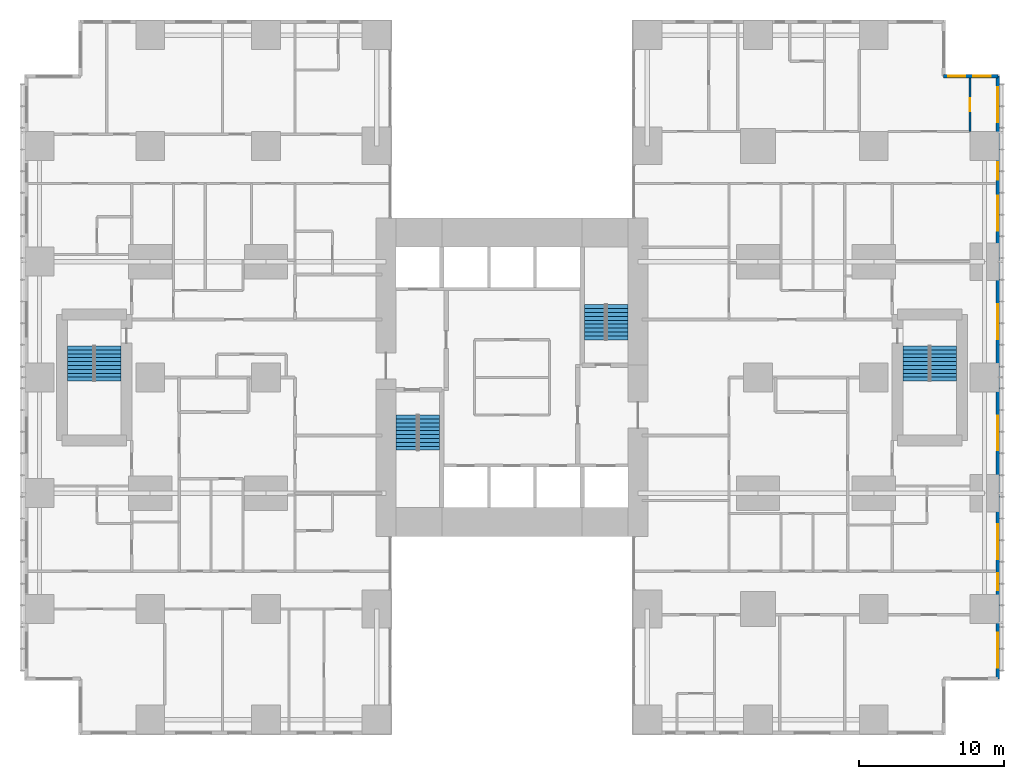
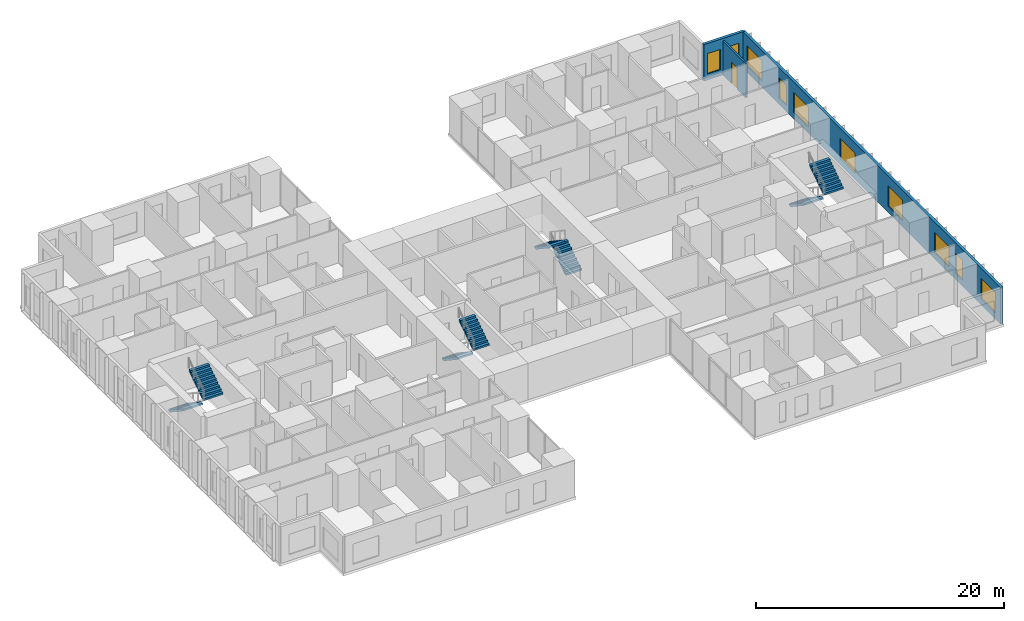
# One storey, part 19 of 20: 10 windows, 8 stair flights, 3 walls, 1 door, 11 openings, 4 elements without a shape of their own.
"""IFC4 building model written with IfcOpenShell, lengths in metres."""

from ifc_helpers import new_model, si_unit, direction, frame, frame_2d, origin, place, context, subcontext, project, spatial, polyline, rectangle, outline, extrude, material, layer, layer_set, type_object, element, fill, aggregate, save


model = new_model("IFC4")

# Units and contexts
model_context = context("Model", 3, precision=1e-05, world=origin(), true_north=direction((0.0, 1.0)))
body_context = subcontext(model_context, "Body", "Model", "MODEL_VIEW")
ifc_project = project(units=[si_unit("LENGTHUNIT", "METRE"), si_unit("AREAUNIT", "SQUARE_METRE"), si_unit("VOLUMEUNIT", "CUBIC_METRE"), si_unit("PLANEANGLEUNIT", "RADIAN"), si_unit("MASSUNIT", "GRAM", prefix="KILO")], contexts=[model_context])

# Site, building, storey
site_placement = place(None, origin())
site = spatial("IfcSite", under=ifc_project, at=site_placement, CompositionType="ELEMENT")
building_placement = place(site_placement, origin())
building = spatial("IfcBuilding", under=site, at=building_placement, Name="Cleftline Residences", CompositionType="ELEMENT")
storey_placement = place(building_placement, frame((0.0, 0.0, 40.39990234375)))
storey = spatial("IfcBuildingStorey", under=building, at=storey_placement, Name="L09", CompositionType="ELEMENT", Elevation=40.39990234375)

# Wall, openings, windows
ifc_material_1 = material(Name="Rendered reinforced concrete blockwork", Category="masonry")
ifc_layer_1 = layer(ifc_material_1, 0.25)
ifc_layer_set_1 = layer_set([ifc_layer_1], Name="EXTERNAL WALL 250")
wall_type_1 = type_object("IfcWallType", Name="EXTERNAL WALL 250", PredefinedType="SOLIDWALL", material=ifc_layer_set_1)
wall_1_placement = place(storey_placement, frame((66.574951171875, 3.175048828125, 0.0), z_axis=(0.0, 0.0, 1.0), x_axis=(0.0, 1.0, 0.0)))
wall_1 = element("IfcWall", 1, at=wall_1_placement, inside=storey, type_object=wall_type_1, Name="External wall", PredefinedType="SOLIDWALL", context=body_context, shape_type="SweptSolid", body=[
    extrude(rectangle(XDim=41.64990234375, YDim=0.25, at=frame_2d((20.824951171875, 0.0))), origin(), (0.0, 0.0, 1.0), 3.60009765625),
])
opening_1_placement = place(wall_1_placement, frame((0.77490234375, 0.0, 0.60009765625)))
opening_1 = element("IfcOpeningElement", 2, at=opening_1_placement, cuts=wall_1, Name="Opening W6", PredefinedType="OPENING", context=body_context, shape_type="SweptSolid", body=[
    extrude(rectangle(XDim=2.39990234375, YDim=2.0, at=frame_2d((1.199951171875, 1.0))), frame((0.0, 0.135009765625, 0.0), z_axis=(0.0, -1.0, 0.0), x_axis=(1.0, 0.0, 0.0)), (0.0, 0.0, 1.0), 0.27001953125),
])
opening_2_placement = place(wall_1_placement, frame((6.10009765625, 0.0, 0.60009765625)))
opening_2 = element("IfcOpeningElement", 3, at=opening_2_placement, cuts=wall_1, Name="Opening W8", PredefinedType="OPENING", context=body_context, shape_type="SweptSolid", body=[
    extrude(rectangle(XDim=1.199951171875, YDim=2.0, at=frame_2d((0.60009765625, 1.0))), frame((0.0, 0.135009765625, 0.0), z_axis=(0.0, -1.0, 0.0), x_axis=(1.0, 0.0, 0.0)), (0.0, 0.0, 1.0), 0.27001953125),
])
opening_3_placement = place(wall_1_placement, frame((8.27490234375, 0.0, 0.60009765625)))
opening_3 = element("IfcOpeningElement", 4, at=opening_3_placement, cuts=wall_1, Name="Opening W6", PredefinedType="OPENING", context=body_context, shape_type="SweptSolid", body=[
    extrude(rectangle(XDim=2.39990234375, YDim=2.0, at=frame_2d((1.199951171875, 1.0))), frame((0.0, 0.135009765625, 0.0), z_axis=(0.0, -1.0, 0.0), x_axis=(1.0, 0.0, 0.0)), (0.0, 0.0, 1.0), 0.27001953125),
])
opening_4_placement = place(wall_1_placement, frame((15.77490234375, 0.0, 0.60009765625)))
opening_4 = element("IfcOpeningElement", 5, at=opening_4_placement, cuts=wall_1, Name="Opening W6", PredefinedType="OPENING", context=body_context, shape_type="SweptSolid", body=[
    extrude(rectangle(XDim=2.39990234375, YDim=2.0, at=frame_2d((1.199951171875, 1.0))), frame((0.0, 0.135009765625, 0.0), z_axis=(0.0, -1.0, 0.0), x_axis=(1.0, 0.0, 0.0)), (0.0, 0.0, 1.0), 0.27001953125),
])
opening_5_placement = place(wall_1_placement, frame((23.47509765625, 0.0, 0.60009765625)))
opening_5 = element("IfcOpeningElement", 6, at=opening_5_placement, cuts=wall_1, Name="Opening W6", PredefinedType="OPENING", context=body_context, shape_type="SweptSolid", body=[
    extrude(rectangle(XDim=2.39990234375, YDim=2.0, at=frame_2d((1.199951171875, 1.0))), frame((0.0, 0.135009765625, 0.0), z_axis=(0.0, -1.0, 0.0), x_axis=(1.0, 0.0, 0.0)), (0.0, 0.0, 1.0), 0.27001953125),
])
opening_6_placement = place(wall_1_placement, frame((30.97509765625, 0.0, 0.60009765625)))
opening_6 = element("IfcOpeningElement", 7, at=opening_6_placement, cuts=wall_1, Name="Opening W6", PredefinedType="OPENING", context=body_context, shape_type="SweptSolid", body=[
    extrude(rectangle(XDim=2.39990234375, YDim=2.0, at=frame_2d((1.199951171875, 1.0))), frame((0.0, 0.135009765625, 0.0), z_axis=(0.0, -1.0, 0.0), x_axis=(1.0, 0.0, 0.0)), (0.0, 0.0, 1.0), 0.27001953125),
])
opening_7_placement = place(wall_1_placement, frame((34.5, 0.0, 0.60009765625)))
opening_7 = element("IfcOpeningElement", 8, at=opening_7_placement, cuts=wall_1, Name="Opening W8", PredefinedType="OPENING", context=body_context, shape_type="SweptSolid", body=[
    extrude(rectangle(XDim=1.199951171875, YDim=2.0, at=frame_2d((0.60009765625, 1.0))), frame((0.0, 0.135009765625, 0.0), z_axis=(0.0, -1.0, 0.0), x_axis=(1.0, 0.0, 0.0)), (0.0, 0.0, 1.0), 0.27001953125),
])
opening_8_placement = place(wall_1_placement, frame((38.47509765625, 0.0, 0.60009765625)))
opening_8 = element("IfcOpeningElement", 9, at=opening_8_placement, cuts=wall_1, Name="Opening W6", PredefinedType="OPENING", context=body_context, shape_type="SweptSolid", body=[
    extrude(rectangle(XDim=2.39990234375, YDim=2.0, at=frame_2d((1.199951171875, 1.0))), frame((0.0, 0.135009765625, 0.0), z_axis=(0.0, -1.0, 0.0), x_axis=(1.0, 0.0, 0.0)), (0.0, 0.0, 1.0), 0.27001953125),
])
ifc_material_2 = material(Name="Aluminium frame, clear double glazing", Category="aluminium")
window_type_1 = type_object("IfcWindowType", Name="WINDOW 1200X2000", PartitioningType="DOUBLE_PANEL_VERTICAL", PredefinedType="WINDOW", material=ifc_material_2)
window_1_placement = place(opening_2_placement, origin())
window_1 = element("IfcWindow", 10, at=window_1_placement, inside=storey, type_object=window_type_1, Name="Window", OverallHeight=2.0, OverallWidth=1.199951171875, PartitioningType="SINGLE_PANEL", PredefinedType="WINDOW", context=body_context, shape_type="SweptSolid", body=[
    extrude(rectangle(XDim=1.199951171875, YDim=2.0, at=frame_2d((0.60009765625, 1.0))), frame((0.0, 0.030029296875, 0.0), z_axis=(0.0, -1.0, 0.0), x_axis=(1.0, 0.0, 0.0)), (0.0, 0.0, 1.0), 0.06005859375),
])
fill(opening_2, window_1)
window_2_placement = place(opening_7_placement, origin())
window_2 = element("IfcWindow", 11, at=window_2_placement, inside=storey, type_object=window_type_1, Name="Window", OverallHeight=2.0, OverallWidth=1.199951171875, PartitioningType="SINGLE_PANEL", PredefinedType="WINDOW", context=body_context, shape_type="SweptSolid", body=[
    extrude(rectangle(XDim=1.199951171875, YDim=2.0, at=frame_2d((0.60009765625, 1.0))), frame((0.0, 0.030029296875, 0.0), z_axis=(0.0, -1.0, 0.0), x_axis=(1.0, 0.0, 0.0)), (0.0, 0.0, 1.0), 0.06005859375),
])
fill(opening_7, window_2)
ifc_material_3 = material(Name="Aluminium frame, clear double glazing", Category="aluminium")
window_type_2 = type_object("IfcWindowType", Name="WINDOW 2400X2000", PartitioningType="DOUBLE_PANEL_VERTICAL", PredefinedType="WINDOW", material=ifc_material_3)
window_3_placement = place(opening_1_placement, origin())
window_3 = element("IfcWindow", 12, at=window_3_placement, inside=storey, type_object=window_type_2, Name="Window", OverallHeight=2.0, OverallWidth=2.39990234375, PartitioningType="SINGLE_PANEL", PredefinedType="WINDOW", context=body_context, shape_type="SweptSolid", body=[
    extrude(rectangle(XDim=2.39990234375, YDim=2.0, at=frame_2d((1.199951171875, 1.0))), frame((0.0, 0.030029296875, 0.0), z_axis=(0.0, -1.0, 0.0), x_axis=(1.0, 0.0, 0.0)), (0.0, 0.0, 1.0), 0.06005859375),
])
fill(opening_1, window_3)
window_4_placement = place(opening_3_placement, origin())
window_4 = element("IfcWindow", 13, at=window_4_placement, inside=storey, type_object=window_type_2, Name="Window", OverallHeight=2.0, OverallWidth=2.39990234375, PartitioningType="SINGLE_PANEL", PredefinedType="WINDOW", context=body_context, shape_type="SweptSolid", body=[
    extrude(rectangle(XDim=2.39990234375, YDim=2.0, at=frame_2d((1.199951171875, 1.0))), frame((0.0, 0.030029296875, 0.0), z_axis=(0.0, -1.0, 0.0), x_axis=(1.0, 0.0, 0.0)), (0.0, 0.0, 1.0), 0.06005859375),
])
fill(opening_3, window_4)
window_5_placement = place(opening_4_placement, origin())
window_5 = element("IfcWindow", 14, at=window_5_placement, inside=storey, type_object=window_type_2, Name="Window", OverallHeight=2.0, OverallWidth=2.39990234375, PartitioningType="SINGLE_PANEL", PredefinedType="WINDOW", context=body_context, shape_type="SweptSolid", body=[
    extrude(rectangle(XDim=2.39990234375, YDim=2.0, at=frame_2d((1.199951171875, 1.0))), frame((0.0, 0.030029296875, 0.0), z_axis=(0.0, -1.0, 0.0), x_axis=(1.0, 0.0, 0.0)), (0.0, 0.0, 1.0), 0.06005859375),
])
fill(opening_4, window_5)
window_6_placement = place(opening_5_placement, origin())
window_6 = element("IfcWindow", 15, at=window_6_placement, inside=storey, type_object=window_type_2, Name="Window", OverallHeight=2.0, OverallWidth=2.39990234375, PartitioningType="SINGLE_PANEL", PredefinedType="WINDOW", context=body_context, shape_type="SweptSolid", body=[
    extrude(rectangle(XDim=2.39990234375, YDim=2.0, at=frame_2d((1.199951171875, 1.0))), frame((0.0, 0.030029296875, 0.0), z_axis=(0.0, -1.0, 0.0), x_axis=(1.0, 0.0, 0.0)), (0.0, 0.0, 1.0), 0.06005859375),
])
fill(opening_5, window_6)
window_7_placement = place(opening_6_placement, origin())
window_7 = element("IfcWindow", 16, at=window_7_placement, inside=storey, type_object=window_type_2, Name="Window", OverallHeight=2.0, OverallWidth=2.39990234375, PartitioningType="SINGLE_PANEL", PredefinedType="WINDOW", context=body_context, shape_type="SweptSolid", body=[
    extrude(rectangle(XDim=2.39990234375, YDim=2.0, at=frame_2d((1.199951171875, 1.0))), frame((0.0, 0.030029296875, 0.0), z_axis=(0.0, -1.0, 0.0), x_axis=(1.0, 0.0, 0.0)), (0.0, 0.0, 1.0), 0.06005859375),
])
fill(opening_6, window_7)
window_8_placement = place(opening_8_placement, origin())
window_8 = element("IfcWindow", 17, at=window_8_placement, inside=storey, type_object=window_type_2, Name="Window", OverallHeight=2.0, OverallWidth=2.39990234375, PartitioningType="SINGLE_PANEL", PredefinedType="WINDOW", context=body_context, shape_type="SweptSolid", body=[
    extrude(rectangle(XDim=2.39990234375, YDim=2.0, at=frame_2d((1.199951171875, 1.0))), frame((0.0, 0.030029296875, 0.0), z_axis=(0.0, -1.0, 0.0), x_axis=(1.0, 0.0, 0.0)), (0.0, 0.0, 1.0), 0.06005859375),
])
fill(opening_8, window_8)

wall_2_placement = place(storey_placement, frame((66.574951171875, 44.824951171875, 0.0), z_axis=(0.0, 0.0, 1.0), x_axis=(-1.0, 0.0, 0.0)))
wall_2 = element("IfcWall", 18, at=wall_2_placement, inside=storey, type_object=wall_type_1, Name="External wall", PredefinedType="SOLIDWALL", context=body_context, shape_type="SweptSolid", body=[
    extrude(rectangle(XDim=3.75, YDim=0.25, at=frame_2d((1.875, 0.0))), origin(), (0.0, 0.0, 1.0), 3.60009765625),
])
opening_9_placement = place(wall_2_placement, frame((0.5, 0.0, 0.60009765625)))
opening_9 = element("IfcOpeningElement", 19, at=opening_9_placement, cuts=wall_2, Name="Opening W8", PredefinedType="OPENING", context=body_context, shape_type="SweptSolid", body=[
    extrude(rectangle(XDim=1.199951171875, YDim=2.0, at=frame_2d((0.60009765625, 1.0))), frame((0.0, 0.135009765625, 0.0), z_axis=(0.0, -1.0, 0.0), x_axis=(1.0, 0.0, 0.0)), (0.0, 0.0, 1.0), 0.27001953125),
])
opening_10_placement = place(wall_2_placement, frame((2.237548828125, 0.0, 0.60009765625)))
opening_10 = element("IfcOpeningElement", 20, at=opening_10_placement, cuts=wall_2, Name="Opening W8", PredefinedType="OPENING", context=body_context, shape_type="SweptSolid", body=[
    extrude(rectangle(XDim=1.199951171875, YDim=2.0, at=frame_2d((0.60009765625, 1.0))), frame((0.0, 0.135009765625, 0.0), z_axis=(0.0, -1.0, 0.0), x_axis=(1.0, 0.0, 0.0)), (0.0, 0.0, 1.0), 0.27001953125),
])
window_9_placement = place(opening_9_placement, origin())
window_9 = element("IfcWindow", 21, at=window_9_placement, inside=storey, type_object=window_type_1, Name="Window", OverallHeight=2.0, OverallWidth=1.199951171875, PartitioningType="SINGLE_PANEL", PredefinedType="WINDOW", context=body_context, shape_type="SweptSolid", body=[
    extrude(rectangle(XDim=1.199951171875, YDim=2.0, at=frame_2d((0.60009765625, 1.0))), frame((0.0, 0.030029296875, 0.0), z_axis=(0.0, -1.0, 0.0), x_axis=(1.0, 0.0, 0.0)), (0.0, 0.0, 1.0), 0.06005859375),
])
fill(opening_9, window_9)
window_10_placement = place(opening_10_placement, origin())
window_10 = element("IfcWindow", 22, at=window_10_placement, inside=storey, type_object=window_type_1, Name="Window", OverallHeight=2.0, OverallWidth=1.199951171875, PartitioningType="SINGLE_PANEL", PredefinedType="WINDOW", context=body_context, shape_type="SweptSolid", body=[
    extrude(rectangle(XDim=1.199951171875, YDim=2.0, at=frame_2d((0.60009765625, 1.0))), frame((0.0, 0.030029296875, 0.0), z_axis=(0.0, -1.0, 0.0), x_axis=(1.0, 0.0, 0.0)), (0.0, 0.0, 1.0), 0.06005859375),
])
fill(opening_10, window_10)

# Wall, opening, door
ifc_material_4 = material(Name="Gypsum board on steel studs", Category="steel")
ifc_layer_2 = layer(ifc_material_4, 0.14990234375)
ifc_layer_set_2 = layer_set([ifc_layer_2], Name="PARTITION 150")
wall_type_2 = type_object("IfcWallType", Name="PARTITION 150", PredefinedType="PARTITIONING", material=ifc_layer_set_2)
wall_3_placement = place(storey_placement, frame((64.64990234375, 41.0, 0.0), z_axis=(0.0, 0.0, 1.0), x_axis=(0.0, 1.0, 0.0)))
wall_3 = element("IfcWall", 23, at=wall_3_placement, inside=storey, type_object=wall_type_2, Name="Partition", PredefinedType="PARTITIONING", context=body_context, shape_type="SweptSolid", body=[
    extrude(rectangle(XDim=3.699951171875, YDim=0.14990234375, at=frame_2d((1.85009765625, 0.0))), origin(), (0.0, 0.0, 1.0), 3.35009765625),
])
opening_11_placement = place(wall_3_placement, frame((1.39990234375, 0.0, 0.0)))
opening_11 = element("IfcOpeningElement", 24, at=opening_11_placement, cuts=wall_3, Name="Opening D1", PredefinedType="OPENING", context=body_context, shape_type="SweptSolid", body=[
    extrude(rectangle(XDim=0.89990234375, YDim=2.10009765625, at=frame_2d((0.449951171875, 1.050048828125))), frame((0.0, 0.0849609375, 0.0), z_axis=(0.0, -1.0, 0.0), x_axis=(1.0, 0.0, 0.0)), (0.0, 0.0, 1.0), 0.169921875),
])
ifc_material_5 = material(Name="Timber veneer on solid core", Category="wood")
door_type = type_object("IfcDoorType", Name="DOOR 900X2100", OperationType="SINGLE_SWING_LEFT", PredefinedType="DOOR", material=ifc_material_5)
door_placement = place(opening_11_placement, origin())
door = element("IfcDoor", 25, at=door_placement, inside=storey, type_object=door_type, Name="Door to walk-in wardrobe", OperationType="SINGLE_SWING_LEFT", OverallHeight=2.10009765625, OverallWidth=0.89990234375, PredefinedType="DOOR", context=body_context, shape_type="SweptSolid", body=[
    extrude(rectangle(XDim=0.89990234375, YDim=2.10009765625, at=frame_2d((0.449951171875, 1.050048828125))), frame((0.0, 0.02490234375, 0.0), z_axis=(0.0, -1.0, 0.0), x_axis=(1.0, 0.0, 0.0)), (0.0, 0.0, 1.0), 0.050048828125),
])
fill(opening_11, door)

# Stair, stair flights
ifc_material_6 = material(Name="Concrete B45, stone treads", Category="masonry")
stair_type_1 = type_object("IfcStairType", Name="STAIR A 1450 WIDE 180 RISER", PredefinedType="HALF_TURN_STAIR", material=ifc_material_6)
stair_1_placement = place(storey_placement, origin())
stair_1 = element("IfcStair", 26, at=stair_1_placement, inside=storey, type_object=stair_type_1, Name="Stair A L09", PredefinedType="HALF_TURN_STAIR")
ifc_material_7 = material(Name="Concrete B45", Category="concrete")
stair_flight_type_1 = type_object("IfcStairFlightType", Name="STAIR A FLIGHT 1450X180", PredefinedType="STRAIGHT", material=ifc_material_7)
stair_flight_1_placement = place(storey_placement, frame((25.72509765625, 21.39990234375, 0.0), z_axis=(0.0, 0.0, 1.0), x_axis=(0.0, -1.0, 0.0)))
stair_flight_1 = element("IfcStairFlight", 27, at=stair_flight_1_placement, type_object=stair_flight_type_1, Name="ST-A flight 1", NumberOfRisers=10, NumberOfTreads=9, PredefinedType="STRAIGHT", RiserHeight=0.18, TreadLength=0.27, context=body_context, shape_type="SweptSolid", body=[
    extrude(outline(polyline([(0.0, 0.0), (0.0, 0.013916015625), (0.0, 0.027587890625), (0.0, 0.04150390625), (0.0, 0.055419921875), (0.0, 0.0693359375), (0.0, 0.0830078125), (0.0, 0.096923828125), (0.0, 0.11083984375), (0.0, 0.12451171875), (0.0, 0.138427734375), (0.0, 0.15234375), (0.0, 0.166259765625), (0.0, 0.179931640625), (0.27001953125, 0.179931640625), (0.27001953125, 0.360107421875), (0.5400390625, 0.360107421875), (0.5400390625, 0.5400390625), (0.81005859375, 0.5400390625), (0.81005859375, 0.719970703125), (1.080078125, 0.719970703125), (1.080078125, 0.89990234375), (1.35009765625, 0.89990234375), (1.35009765625, 1.080078125), (1.6201171875, 1.080078125), (1.6201171875, 1.260009765625), (1.889892578125, 1.260009765625), (1.889892578125, 1.43994140625), (2.159912109375, 1.43994140625), (2.159912109375, 1.6201171875), (2.429931640625, 1.6201171875), (2.429931640625, 1.800048828125), (2.429931640625, 1.772216796875), (2.429931640625, 1.74462890625), (2.429931640625, 1.716796875), (2.429931640625, 1.689208984375), (2.429931640625, 1.661376953125), (2.429931640625, 1.6337890625), (2.429931640625, 1.60595703125), (2.429931640625, 1.578369140625), (2.429931640625, 1.550537109375), (2.429931640625, 1.52294921875), (2.429931640625, 1.495361328125), (2.429931640625, 1.467529296875), (2.429931640625, 1.43994140625), (0.270263671875, 0.0), (0.0, 0.0)])), frame((0.0, 0.72509765625, 0.0), z_axis=(0.0, -1.0, 0.0), x_axis=(1.0, 0.0, 0.0)), (0.0, 0.0, 1.0), 1.449951171875),
])
stair_flight_2_placement = place(storey_placement, frame((27.27490234375, 18.969970703125, 1.800048828125), z_axis=(0.0, 0.0, 1.0), x_axis=(0.0, 1.0, 0.0)))
stair_flight_2 = element("IfcStairFlight", 28, at=stair_flight_2_placement, type_object=stair_flight_type_1, Name="ST-A flight 2", NumberOfRisers=10, NumberOfTreads=9, PredefinedType="STRAIGHT", RiserHeight=0.18, TreadLength=0.27, context=body_context, shape_type="SweptSolid", body=[
    extrude(outline(polyline([(0.0, 0.0), (0.0, 0.013916015625), (0.0, 0.027587890625), (0.0, 0.04150390625), (0.0, 0.055419921875), (0.0, 0.0693359375), (0.0, 0.0830078125), (0.0, 0.096923828125), (0.0, 0.11083984375), (0.0, 0.12451171875), (0.0, 0.138427734375), (0.0, 0.15234375), (0.0, 0.166259765625), (0.0, 0.179931640625), (0.27001953125, 0.179931640625), (0.27001953125, 0.360107421875), (0.5400390625, 0.360107421875), (0.5400390625, 0.5400390625), (0.81005859375, 0.5400390625), (0.81005859375, 0.719970703125), (1.080078125, 0.719970703125), (1.080078125, 0.89990234375), (1.35009765625, 0.89990234375), (1.35009765625, 1.080078125), (1.6201171875, 1.080078125), (1.6201171875, 1.260009765625), (1.889892578125, 1.260009765625), (1.889892578125, 1.43994140625), (2.159912109375, 1.43994140625), (2.159912109375, 1.6201171875), (2.429931640625, 1.6201171875), (2.429931640625, 1.800048828125), (2.429931640625, 1.772216796875), (2.429931640625, 1.74462890625), (2.429931640625, 1.716796875), (2.429931640625, 1.689208984375), (2.429931640625, 1.661376953125), (2.429931640625, 1.6337890625), (2.429931640625, 1.60595703125), (2.429931640625, 1.578369140625), (2.429931640625, 1.550537109375), (2.429931640625, 1.52294921875), (2.429931640625, 1.495361328125), (2.429931640625, 1.467529296875), (2.429931640625, 1.43994140625), (0.270263671875, 0.0), (0.0, 0.0)])), frame((0.0, 0.72509765625, 0.0), z_axis=(0.0, -1.0, 0.0), x_axis=(1.0, 0.0, 0.0)), (0.0, 0.0, 1.0), 1.449951171875),
])
aggregate(stair_1, [stair_flight_1, stair_flight_2])

ifc_material_8 = material(Name="Concrete B45, stone treads", Category="masonry")
stair_type_2 = type_object("IfcStairType", Name="STAIR B 1450 WIDE 180 RISER", PredefinedType="HALF_TURN_STAIR", material=ifc_material_8)
stair_2_placement = place(storey_placement, origin())
stair_2 = element("IfcStair", 29, at=stair_2_placement, inside=storey, type_object=stair_type_2, Name="Stair B L09", PredefinedType="HALF_TURN_STAIR")
ifc_material_9 = material(Name="Concrete B45", Category="concrete")
stair_flight_type_2 = type_object("IfcStairFlightType", Name="STAIR B FLIGHT 1450X180", PredefinedType="STRAIGHT", material=ifc_material_9)
stair_flight_3_placement = place(storey_placement, frame((40.27490234375, 26.60009765625, 0.0), z_axis=(0.0, 0.0, 1.0), x_axis=(0.0, 1.0, 0.0)))
stair_flight_3 = element("IfcStairFlight", 30, at=stair_flight_3_placement, type_object=stair_flight_type_2, Name="ST-B flight 1", NumberOfRisers=10, NumberOfTreads=9, PredefinedType="STRAIGHT", RiserHeight=0.18, TreadLength=0.27, context=body_context, shape_type="SweptSolid", body=[
    extrude(outline(polyline([(0.0, 0.0), (0.0, 0.013916015625), (0.0, 0.027587890625), (0.0, 0.04150390625), (0.0, 0.055419921875), (0.0, 0.0693359375), (0.0, 0.0830078125), (0.0, 0.096923828125), (0.0, 0.11083984375), (0.0, 0.12451171875), (0.0, 0.138427734375), (0.0, 0.15234375), (0.0, 0.166259765625), (0.0, 0.179931640625), (0.27001953125, 0.179931640625), (0.27001953125, 0.360107421875), (0.5400390625, 0.360107421875), (0.5400390625, 0.5400390625), (0.81005859375, 0.5400390625), (0.81005859375, 0.719970703125), (1.080078125, 0.719970703125), (1.080078125, 0.89990234375), (1.35009765625, 0.89990234375), (1.35009765625, 1.080078125), (1.6201171875, 1.080078125), (1.6201171875, 1.260009765625), (1.889892578125, 1.260009765625), (1.889892578125, 1.43994140625), (2.159912109375, 1.43994140625), (2.159912109375, 1.6201171875), (2.429931640625, 1.6201171875), (2.429931640625, 1.800048828125), (2.429931640625, 1.772216796875), (2.429931640625, 1.74462890625), (2.429931640625, 1.716796875), (2.429931640625, 1.689208984375), (2.429931640625, 1.661376953125), (2.429931640625, 1.6337890625), (2.429931640625, 1.60595703125), (2.429931640625, 1.578369140625), (2.429931640625, 1.550537109375), (2.429931640625, 1.52294921875), (2.429931640625, 1.495361328125), (2.429931640625, 1.467529296875), (2.429931640625, 1.43994140625), (0.270263671875, 0.0), (0.0, 0.0)])), frame((0.0, 0.72509765625, 0.0), z_axis=(0.0, -1.0, 0.0), x_axis=(1.0, 0.0, 0.0)), (0.0, 0.0, 1.0), 1.449951171875),
])
stair_flight_4_placement = place(storey_placement, frame((38.72509765625, 29.030029296875, 1.800048828125), z_axis=(0.0, 0.0, 1.0), x_axis=(0.0, -1.0, 0.0)))
stair_flight_4 = element("IfcStairFlight", 31, at=stair_flight_4_placement, type_object=stair_flight_type_2, Name="ST-B flight 2", NumberOfRisers=10, NumberOfTreads=9, PredefinedType="STRAIGHT", RiserHeight=0.18, TreadLength=0.27, context=body_context, shape_type="SweptSolid", body=[
    extrude(outline(polyline([(0.0, 0.0), (0.0, 0.013916015625), (0.0, 0.027587890625), (0.0, 0.04150390625), (0.0, 0.055419921875), (0.0, 0.0693359375), (0.0, 0.0830078125), (0.0, 0.096923828125), (0.0, 0.11083984375), (0.0, 0.12451171875), (0.0, 0.138427734375), (0.0, 0.15234375), (0.0, 0.166259765625), (0.0, 0.179931640625), (0.27001953125, 0.179931640625), (0.27001953125, 0.360107421875), (0.5400390625, 0.360107421875), (0.5400390625, 0.5400390625), (0.81005859375, 0.5400390625), (0.81005859375, 0.719970703125), (1.080078125, 0.719970703125), (1.080078125, 0.89990234375), (1.35009765625, 0.89990234375), (1.35009765625, 1.080078125), (1.6201171875, 1.080078125), (1.6201171875, 1.260009765625), (1.889892578125, 1.260009765625), (1.889892578125, 1.43994140625), (2.159912109375, 1.43994140625), (2.159912109375, 1.6201171875), (2.429931640625, 1.6201171875), (2.429931640625, 1.800048828125), (2.429931640625, 1.772216796875), (2.429931640625, 1.74462890625), (2.429931640625, 1.716796875), (2.429931640625, 1.689208984375), (2.429931640625, 1.661376953125), (2.429931640625, 1.6337890625), (2.429931640625, 1.60595703125), (2.429931640625, 1.578369140625), (2.429931640625, 1.550537109375), (2.429931640625, 1.52294921875), (2.429931640625, 1.495361328125), (2.429931640625, 1.467529296875), (2.429931640625, 1.43994140625), (0.270263671875, 0.0), (0.0, 0.0)])), frame((0.0, 0.72509765625, 0.0), z_axis=(0.0, -1.0, 0.0), x_axis=(1.0, 0.0, 0.0)), (0.0, 0.0, 1.0), 1.449951171875),
])
aggregate(stair_2, [stair_flight_3, stair_flight_4])

ifc_material_10 = material(Name="Concrete B45, stone treads", Category="masonry")
stair_type_3 = type_object("IfcStairType", Name="STAIR E 1800 WIDE 180 RISER", PredefinedType="HALF_TURN_STAIR", material=ifc_material_10)
stair_3_placement = place(storey_placement, origin())
stair_3 = element("IfcStair", 32, at=stair_3_placement, inside=storey, type_object=stair_type_3, Name="Stair E L09", PredefinedType="HALF_TURN_STAIR")
ifc_material_11 = material(Name="Concrete B45", Category="concrete")
stair_flight_type_3 = type_object("IfcStairFlightType", Name="STAIR E FLIGHT 1800X180", PredefinedType="STRAIGHT", material=ifc_material_11)
stair_flight_5_placement = place(storey_placement, frame((60.925048828125, 26.175048828125, 0.0), z_axis=(0.0, 0.0, 1.0), x_axis=(0.0, -1.0, 0.0)))
stair_flight_5 = element("IfcStairFlight", 33, at=stair_flight_5_placement, type_object=stair_flight_type_3, Name="ST-E flight 1", NumberOfRisers=10, NumberOfTreads=9, PredefinedType="STRAIGHT", RiserHeight=0.18, TreadLength=0.27, context=body_context, shape_type="SweptSolid", body=[
    extrude(outline(polyline([(0.0, 0.0), (0.0, 0.013916015625), (0.0, 0.027587890625), (0.0, 0.04150390625), (0.0, 0.055419921875), (0.0, 0.0693359375), (0.0, 0.0830078125), (0.0, 0.096923828125), (0.0, 0.11083984375), (0.0, 0.12451171875), (0.0, 0.138427734375), (0.0, 0.15234375), (0.0, 0.166259765625), (0.0, 0.179931640625), (0.27001953125, 0.179931640625), (0.27001953125, 0.360107421875), (0.5400390625, 0.360107421875), (0.5400390625, 0.5400390625), (0.81005859375, 0.5400390625), (0.81005859375, 0.719970703125), (1.080078125, 0.719970703125), (1.080078125, 0.89990234375), (1.35009765625, 0.89990234375), (1.35009765625, 1.080078125), (1.6201171875, 1.080078125), (1.6201171875, 1.260009765625), (1.889892578125, 1.260009765625), (1.889892578125, 1.43994140625), (2.159912109375, 1.43994140625), (2.159912109375, 1.6201171875), (2.429931640625, 1.6201171875), (2.429931640625, 1.800048828125), (2.429931640625, 1.772216796875), (2.429931640625, 1.74462890625), (2.429931640625, 1.716796875), (2.429931640625, 1.689208984375), (2.429931640625, 1.661376953125), (2.429931640625, 1.6337890625), (2.429931640625, 1.60595703125), (2.429931640625, 1.578369140625), (2.429931640625, 1.550537109375), (2.429931640625, 1.52294921875), (2.429931640625, 1.495361328125), (2.429931640625, 1.467529296875), (2.429931640625, 1.43994140625), (0.270263671875, 0.0), (0.0, 0.0)])), frame((0.0, 0.89990234375, 0.0), z_axis=(0.0, -1.0, 0.0), x_axis=(1.0, 0.0, 0.0)), (0.0, 0.0, 1.0), 1.800048828125),
])
stair_flight_6_placement = place(storey_placement, frame((62.824951171875, 23.7451171875, 1.800048828125), z_axis=(0.0, 0.0, 1.0), x_axis=(0.0, 1.0, 0.0)))
stair_flight_6 = element("IfcStairFlight", 34, at=stair_flight_6_placement, type_object=stair_flight_type_3, Name="ST-E flight 2", NumberOfRisers=10, NumberOfTreads=9, PredefinedType="STRAIGHT", RiserHeight=0.18, TreadLength=0.27, context=body_context, shape_type="SweptSolid", body=[
    extrude(outline(polyline([(0.0, 0.0), (0.0, 0.013916015625), (0.0, 0.027587890625), (0.0, 0.04150390625), (0.0, 0.055419921875), (0.0, 0.0693359375), (0.0, 0.0830078125), (0.0, 0.096923828125), (0.0, 0.11083984375), (0.0, 0.12451171875), (0.0, 0.138427734375), (0.0, 0.15234375), (0.0, 0.166259765625), (0.0, 0.179931640625), (0.27001953125, 0.179931640625), (0.27001953125, 0.360107421875), (0.5400390625, 0.360107421875), (0.5400390625, 0.5400390625), (0.81005859375, 0.5400390625), (0.81005859375, 0.719970703125), (1.080078125, 0.719970703125), (1.080078125, 0.89990234375), (1.35009765625, 0.89990234375), (1.35009765625, 1.080078125), (1.6201171875, 1.080078125), (1.6201171875, 1.260009765625), (1.889892578125, 1.260009765625), (1.889892578125, 1.43994140625), (2.159912109375, 1.43994140625), (2.159912109375, 1.6201171875), (2.429931640625, 1.6201171875), (2.429931640625, 1.800048828125), (2.429931640625, 1.772216796875), (2.429931640625, 1.74462890625), (2.429931640625, 1.716796875), (2.429931640625, 1.689208984375), (2.429931640625, 1.661376953125), (2.429931640625, 1.6337890625), (2.429931640625, 1.60595703125), (2.429931640625, 1.578369140625), (2.429931640625, 1.550537109375), (2.429931640625, 1.52294921875), (2.429931640625, 1.495361328125), (2.429931640625, 1.467529296875), (2.429931640625, 1.43994140625), (0.270263671875, 0.0), (0.0, 0.0)])), frame((0.0, 0.89990234375, 0.0), z_axis=(0.0, -1.0, 0.0), x_axis=(1.0, 0.0, 0.0)), (0.0, 0.0, 1.0), 1.800048828125),
])
aggregate(stair_3, [stair_flight_5, stair_flight_6])

ifc_material_12 = material(Name="Concrete B45, stone treads", Category="masonry")
stair_type_4 = type_object("IfcStairType", Name="STAIR W 1800 WIDE 180 RISER", PredefinedType="HALF_TURN_STAIR", material=ifc_material_12)
stair_4_placement = place(storey_placement, origin())
stair_4 = element("IfcStair", 35, at=stair_4_placement, inside=storey, type_object=stair_type_4, Name="Stair W L09", PredefinedType="HALF_TURN_STAIR")
ifc_material_13 = material(Name="Concrete B45", Category="concrete")
stair_flight_type_4 = type_object("IfcStairFlightType", Name="STAIR W FLIGHT 1800X180", PredefinedType="STRAIGHT", material=ifc_material_13)
stair_flight_7_placement = place(storey_placement, frame((3.175048828125, 26.175048828125, 0.0), z_axis=(0.0, 0.0, 1.0), x_axis=(0.0, -1.0, 0.0)))
stair_flight_7 = element("IfcStairFlight", 36, at=stair_flight_7_placement, type_object=stair_flight_type_4, Name="ST-W flight 1", NumberOfRisers=10, NumberOfTreads=9, PredefinedType="STRAIGHT", RiserHeight=0.18, TreadLength=0.27, context=body_context, shape_type="SweptSolid", body=[
    extrude(outline(polyline([(0.0, 0.0), (0.0, 0.013916015625), (0.0, 0.027587890625), (0.0, 0.04150390625), (0.0, 0.055419921875), (0.0, 0.0693359375), (0.0, 0.0830078125), (0.0, 0.096923828125), (0.0, 0.11083984375), (0.0, 0.12451171875), (0.0, 0.138427734375), (0.0, 0.15234375), (0.0, 0.166259765625), (0.0, 0.179931640625), (0.27001953125, 0.179931640625), (0.27001953125, 0.360107421875), (0.5400390625, 0.360107421875), (0.5400390625, 0.5400390625), (0.81005859375, 0.5400390625), (0.81005859375, 0.719970703125), (1.080078125, 0.719970703125), (1.080078125, 0.89990234375), (1.35009765625, 0.89990234375), (1.35009765625, 1.080078125), (1.6201171875, 1.080078125), (1.6201171875, 1.260009765625), (1.889892578125, 1.260009765625), (1.889892578125, 1.43994140625), (2.159912109375, 1.43994140625), (2.159912109375, 1.6201171875), (2.429931640625, 1.6201171875), (2.429931640625, 1.800048828125), (2.429931640625, 1.772216796875), (2.429931640625, 1.74462890625), (2.429931640625, 1.716796875), (2.429931640625, 1.689208984375), (2.429931640625, 1.661376953125), (2.429931640625, 1.6337890625), (2.429931640625, 1.60595703125), (2.429931640625, 1.578369140625), (2.429931640625, 1.550537109375), (2.429931640625, 1.52294921875), (2.429931640625, 1.495361328125), (2.429931640625, 1.467529296875), (2.429931640625, 1.43994140625), (0.270263671875, 0.0), (0.0, 0.0)])), frame((0.0, 0.89990234375, 0.0), z_axis=(0.0, -1.0, 0.0), x_axis=(1.0, 0.0, 0.0)), (0.0, 0.0, 1.0), 1.800048828125),
])
stair_flight_8_placement = place(storey_placement, frame((5.074951171875, 23.7451171875, 1.800048828125), z_axis=(0.0, 0.0, 1.0), x_axis=(0.0, 1.0, 0.0)))
stair_flight_8 = element("IfcStairFlight", 37, at=stair_flight_8_placement, type_object=stair_flight_type_4, Name="ST-W flight 2", NumberOfRisers=10, NumberOfTreads=9, PredefinedType="STRAIGHT", RiserHeight=0.18, TreadLength=0.27, context=body_context, shape_type="SweptSolid", body=[
    extrude(outline(polyline([(0.0, 0.0), (0.0, 0.013916015625), (0.0, 0.027587890625), (0.0, 0.04150390625), (0.0, 0.055419921875), (0.0, 0.0693359375), (0.0, 0.0830078125), (0.0, 0.096923828125), (0.0, 0.11083984375), (0.0, 0.12451171875), (0.0, 0.138427734375), (0.0, 0.15234375), (0.0, 0.166259765625), (0.0, 0.179931640625), (0.27001953125, 0.179931640625), (0.27001953125, 0.360107421875), (0.5400390625, 0.360107421875), (0.5400390625, 0.5400390625), (0.81005859375, 0.5400390625), (0.81005859375, 0.719970703125), (1.080078125, 0.719970703125), (1.080078125, 0.89990234375), (1.35009765625, 0.89990234375), (1.35009765625, 1.080078125), (1.6201171875, 1.080078125), (1.6201171875, 1.260009765625), (1.889892578125, 1.260009765625), (1.889892578125, 1.43994140625), (2.159912109375, 1.43994140625), (2.159912109375, 1.6201171875), (2.429931640625, 1.6201171875), (2.429931640625, 1.800048828125), (2.429931640625, 1.772216796875), (2.429931640625, 1.74462890625), (2.429931640625, 1.716796875), (2.429931640625, 1.689208984375), (2.429931640625, 1.661376953125), (2.429931640625, 1.6337890625), (2.429931640625, 1.60595703125), (2.429931640625, 1.578369140625), (2.429931640625, 1.550537109375), (2.429931640625, 1.52294921875), (2.429931640625, 1.495361328125), (2.429931640625, 1.467529296875), (2.429931640625, 1.43994140625), (0.270263671875, 0.0), (0.0, 0.0)])), frame((0.0, 0.89990234375, 0.0), z_axis=(0.0, -1.0, 0.0), x_axis=(1.0, 0.0, 0.0)), (0.0, 0.0, 1.0), 1.800048828125),
])
aggregate(stair_4, [stair_flight_7, stair_flight_8])

save(model, "model.ifc")
